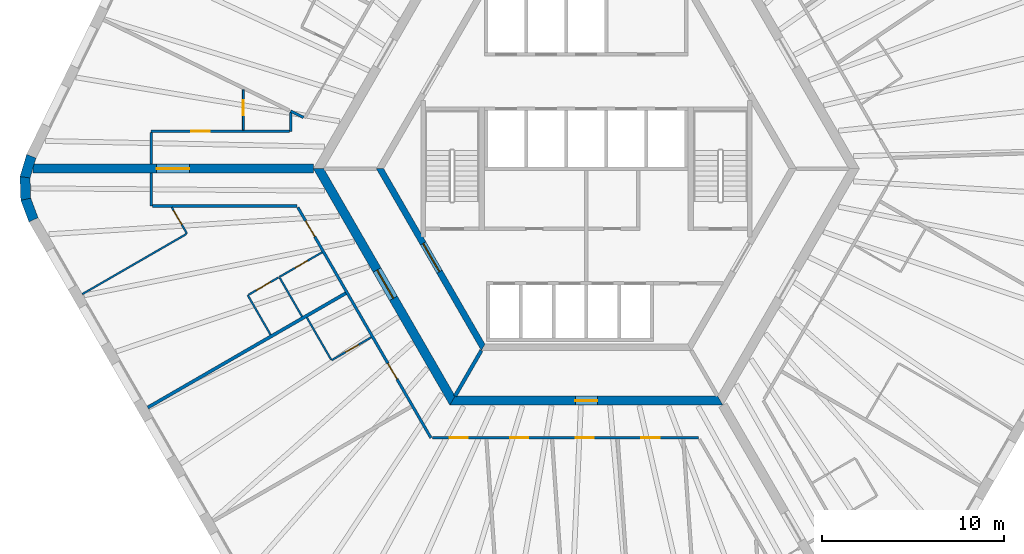
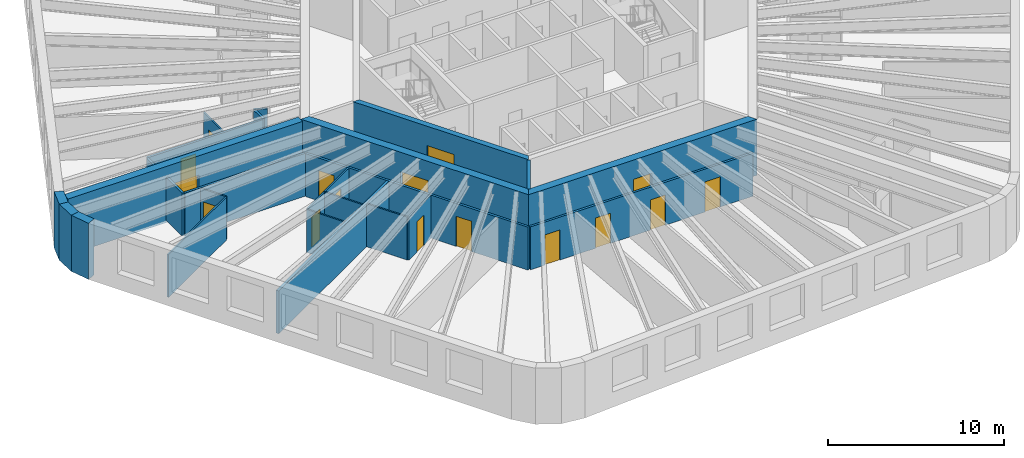
# One storey, part 3 of 10: 26 walls, 16 doors, 16 openings.
"""IFC4 building model written with IfcOpenShell, lengths in metres."""

from ifc_helpers import new_model, si_unit, direction, frame, frame_2d, origin, place, context, subcontext, project, spatial, polyline, rectangle, outline, extrude, material, layer, layer_set, type_object, element, fill, save


model = new_model("IFC4")

# Units and contexts
model_context = context("Model", 3, precision=1e-05, world=origin(), true_north=direction((0.0, 1.0)))
body_context = subcontext(model_context, "Body", "Model", "MODEL_VIEW")
ifc_project = project(units=[si_unit("LENGTHUNIT", "METRE"), si_unit("AREAUNIT", "SQUARE_METRE"), si_unit("VOLUMEUNIT", "CUBIC_METRE"), si_unit("PLANEANGLEUNIT", "RADIAN"), si_unit("MASSUNIT", "GRAM", prefix="KILO")], contexts=[model_context])

# Site, building, storey
site_placement = place(None, origin())
site = spatial("IfcSite", under=ifc_project, at=site_placement, CompositionType="ELEMENT")
building_placement = place(site_placement, origin())
building = spatial("IfcBuilding", under=site, at=building_placement, Name="Tarnside Tower", CompositionType="ELEMENT")
storey_placement = place(building_placement, frame((0.0, 0.0, 230.699951171875)))
storey = spatial("IfcBuildingStorey", under=building, at=storey_placement, Name="L55", CompositionType="ELEMENT", Elevation=230.699951171875)

# Wall, opening, door
ifc_material_1 = material(Name="Gypsum board partition on steel studs", Category="steel")
ifc_layer_1 = layer(ifc_material_1, 0.10009765625)
ifc_layer_set_1 = layer_set([ifc_layer_1], Name="Bathroom wall 100")
wall_type_1 = type_object("IfcWallType", Name="Bathroom wall 100", PredefinedType="PARTITIONING", material=ifc_layer_set_1)
wall_1_placement = place(storey_placement, frame((-18.85595703125, 2.125, 0.0), z_axis=(0.0, 0.0, 1.0), x_axis=(0.0, 1.0, 0.0)))
wall_1 = element("IfcWall", 1, at=wall_1_placement, inside=storey, type_object=wall_type_1, Name="Bathroom wall 18068", PredefinedType="PARTITIONING", context=body_context, shape_type="SweptSolid", body=[
    extrude(rectangle(XDim=2.207275390625, YDim=0.10009765625, at=frame_2d((1.103515625, 0.0))), origin(), (0.0, 0.0, 1.0), 2.98779296875),
])
opening_1_placement = place(wall_1_placement, frame((0.824951171875, 0.0, 0.0)))
opening_1 = element("IfcOpeningElement", 2, at=opening_1_placement, cuts=wall_1, Name="Opening D-B1", PredefinedType="OPENING", context=body_context, shape_type="SweptSolid", body=[
    extrude(rectangle(XDim=0.800048828125, YDim=2.10009765625, at=frame_2d((0.39990234375, 1.050048828125))), frame((0.0, 0.06005859375, 0.0), z_axis=(0.0, -1.0, 0.0), x_axis=(1.0, 0.0, 0.0)), (0.0, 0.0, 1.0), 0.1201171875),
])
ifc_material_2 = material(Name="Timber door leaf", Category="wood")
door_type_1 = type_object("IfcDoorType", Name="Bathroom door 800", OperationType="NOTDEFINED", PredefinedType="DOOR", material=ifc_material_2)
door_1_placement = place(opening_1_placement, origin())
door_1 = element("IfcDoor", 3, at=door_1_placement, inside=storey, type_object=door_type_1, Name="Bathroom door 18011", OperationType="SINGLE_SWING_LEFT", OverallHeight=2.10009765625, OverallWidth=0.800048828125, PredefinedType="DOOR", context=body_context, shape_type="SweptSolid", body=[
    extrude(rectangle(XDim=0.800048828125, YDim=2.10009765625, at=frame_2d((0.39990234375, 1.050048828125))), frame((0.0, 0.02490234375, 0.0), z_axis=(0.0, -1.0, 0.0), x_axis=(1.0, 0.0, 0.0)), (0.0, 0.0, 1.0), 0.050048828125),
])
fill(opening_1, door_1)

wall_2_placement = place(storey_placement, frame((-16.883056640625, -5.95751953125, 0.0), z_axis=(0.0, 0.0, 1.0), x_axis=(0.866012511928, 0.500022328685, 0.0)))
wall_2 = element("IfcWall", 4, at=wall_2_placement, inside=storey, type_object=wall_type_1, Name="Bathroom wall 18069", PredefinedType="PARTITIONING", context=body_context, shape_type="SweptSolid", body=[
    extrude(rectangle(XDim=2.72509765625, YDim=0.10009765625, at=frame_2d((1.362548828125, 0.0))), origin(), (0.0, 0.0, 1.0), 2.98779296875),
])
opening_2_placement = place(wall_2_placement, frame((1.0, 0.0, 0.0)))
opening_2 = element("IfcOpeningElement", 5, at=opening_2_placement, cuts=wall_2, Name="Opening D-B1", PredefinedType="OPENING", context=body_context, shape_type="SweptSolid", body=[
    extrude(rectangle(XDim=0.800048828125, YDim=2.10009765625, at=frame_2d((0.39990234375, 1.050048828125))), frame((0.0, 0.06005859375, 0.0), z_axis=(0.0, -1.0, 0.0), x_axis=(1.0, 0.0, 0.0)), (0.0, 0.0, 1.0), 0.1201171875),
])
door_2_placement = place(opening_2_placement, origin())
door_2 = element("IfcDoor", 6, at=door_2_placement, inside=storey, type_object=door_type_1, Name="Bathroom door 18013", OperationType="SINGLE_SWING_LEFT", OverallHeight=2.10009765625, OverallWidth=0.800048828125, PredefinedType="DOOR", context=body_context, shape_type="SweptSolid", body=[
    extrude(rectangle(XDim=0.800048828125, YDim=2.10009765625, at=frame_2d((0.39990234375, 1.050048828125))), frame((0.0, 0.02490234375, 0.0), z_axis=(0.0, -1.0, 0.0), x_axis=(1.0, 0.0, 0.0)), (0.0, 0.0, 1.0), 0.050048828125),
])
fill(opening_2, door_2)

# Wall
wall_3_placement = place(storey_placement, frame((-16.858154296875, -6.0009765625, 0.0), z_axis=(0.0, 0.0, 1.0), x_axis=(0.500003092839, -0.866023618125, 0.0)))
element("IfcWall", 7, at=wall_3_placement, inside=storey, type_object=wall_type_1, Name="Bathroom wall 18075", PredefinedType="PARTITIONING", context=body_context, shape_type="SweptSolid", body=[
    extrude(rectangle(XDim=2.4599609375, YDim=0.10009765625, at=frame_2d((1.22998046875, 0.0))), origin(), (0.0, 0.0, 1.0), 2.98779296875),
])

# Wall, opening, door
wall_4_placement = place(storey_placement, frame((-11.8232421875, -9.271728515625, 0.0), z_axis=(0.0, 0.0, 1.0), x_axis=(-0.866039067339, -0.499976333282, 0.0)))
wall_4 = element("IfcWall", 8, at=wall_4_placement, inside=storey, type_object=wall_type_1, Name="Bathroom wall 18079", PredefinedType="PARTITIONING", context=body_context, shape_type="SweptSolid", body=[
    extrude(rectangle(XDim=2.52490234375, YDim=0.10009765625, at=frame_2d((1.262451171875, 0.0))), origin(), (0.0, 0.0, 1.0), 2.98779296875),
])
opening_3_placement = place(wall_4_placement, frame((0.824951171875, 0.0, 0.0)))
opening_3 = element("IfcOpeningElement", 9, at=opening_3_placement, cuts=wall_4, Name="Opening D-B1", PredefinedType="OPENING", context=body_context, shape_type="SweptSolid", body=[
    extrude(rectangle(XDim=0.800048828125, YDim=2.10009765625, at=frame_2d((0.39990234375, 1.050048828125))), frame((0.0, 0.06005859375, 0.0), z_axis=(0.0, -1.0, 0.0), x_axis=(1.0, 0.0, 0.0)), (0.0, 0.0, 1.0), 0.1201171875),
])
door_3_placement = place(opening_3_placement, origin())
door_3 = element("IfcDoor", 10, at=door_3_placement, inside=storey, type_object=door_type_1, Name="Bathroom door 18017", OperationType="SINGLE_SWING_RIGHT", OverallHeight=2.10009765625, OverallWidth=0.800048828125, PredefinedType="DOOR", context=body_context, shape_type="SweptSolid", body=[
    extrude(rectangle(XDim=0.800048828125, YDim=2.10009765625, at=frame_2d((0.39990234375, 1.050048828125))), frame((0.0, 0.02490234375, 0.0), z_axis=(0.0, -1.0, 0.0), x_axis=(1.0, 0.0, 0.0)), (0.0, 0.0, 1.0), 0.050048828125),
])
fill(opening_3, door_3)

# Wall
wall_5_placement = place(storey_placement, frame((-14.034912109375, -10.49072265625, 0.0), z_axis=(0.0, 0.0, 1.0), x_axis=(-0.50004820116, 0.865997573043, 0.0)))
element("IfcWall", 11, at=wall_5_placement, inside=storey, type_object=wall_type_1, Name="Bathroom wall 18080", PredefinedType="PARTITIONING", context=body_context, shape_type="SweptSolid", body=[
    extrude(rectangle(XDim=2.659912109375, YDim=0.10009765625, at=frame_2d((1.330078125, 0.0))), origin(), (0.0, 0.0, 1.0), 2.98779296875),
])

# Wall, opening, door
ifc_material_3 = material(Name="Concrete C50/60", Category="concrete")
ifc_layer_2 = layer(ifc_material_3, 0.35009765625)
ifc_layer_set_2 = layer_set([ifc_layer_2], Name="Core block wall 350 C50/60")
wall_type_2 = type_object("IfcWallType", Name="Core block wall 350 C50/60", PredefinedType="SHEAR", material=ifc_layer_set_2)
wall_6_placement = place(storey_placement, frame((-11.344970703125, 0.0, -0.14990234375), z_axis=(0.0, 0.0, 1.0), x_axis=(0.499995046907, -0.866028263435, 0.0)))
wall_6 = element("IfcWall", 12, at=wall_6_placement, inside=storey, type_object=wall_type_2, Name="L55 core block wall face 3", PredefinedType="SHEAR", context=body_context, shape_type="SweptSolid", body=[
    extrude(outline(polyline([(-0.10107421875, -0.175048828125), (11.44580078125, -0.175048828125), (11.24365234375, 0.175048828125), (0.10107421875, 0.175048828125), (-0.10107421875, -0.175048828125)])), origin(), (0.0, 0.0, 1.0), 3.89990234375),
])
opening_4_placement = place(wall_6_placement, frame((4.74365234375, 0.0, 0.14990234375)))
opening_4 = element("IfcOpeningElement", 13, at=opening_4_placement, cuts=wall_6, Name="Opening CD-FFL", PredefinedType="OPENING", context=body_context, shape_type="SweptSolid", body=[
    extrude(rectangle(XDim=1.800048828125, YDim=2.39990234375, at=frame_2d((0.89990234375, 1.199951171875))), frame((0.0, 0.18505859375, 0.0), z_axis=(0.0, -1.0, 0.0), x_axis=(1.0, 0.0, 0.0)), (0.0, 0.0, 1.0), 0.3701171875),
])
ifc_material_4 = material(Name="Steel fire door", Category="steel")
door_type_2 = type_object("IfcDoorType", Name="Firefighting lobby double door FD60S 1800x2400", OperationType="NOTDEFINED", PredefinedType="DOOR", material=ifc_material_4)
door_4_placement = place(opening_4_placement, origin())
door_4 = element("IfcDoor", 14, at=door_4_placement, inside=storey, type_object=door_type_2, Name="L55 lobby block door P3", OperationType="DOUBLE_DOOR_SINGLE_SWING", OverallHeight=2.39990234375, OverallWidth=1.800048828125, PredefinedType="DOOR", context=body_context, shape_type="SweptSolid", body=[
    extrude(rectangle(XDim=1.800048828125, YDim=2.39990234375, at=frame_2d((0.89990234375, 1.199951171875))), frame((0.0, 0.02490234375, 0.0), z_axis=(0.0, -1.0, 0.0), x_axis=(1.0, 0.0, 0.0)), (0.0, 0.0, 1.0), 0.050048828125),
])
fill(opening_4, door_4)

ifc_material_5 = material(Name="Concrete C70/85", Category="concrete")
ifc_layer_3 = layer(ifc_material_5, 0.5)
ifc_layer_set_3 = layer_set([ifc_layer_3], Name="Core wall Z2 500 C70/85")
wall_type_3 = type_object("IfcWallType", Name="Core wall Z2 500 C70/85", PredefinedType="SHEAR", material=ifc_layer_set_3)
wall_7_placement = place(storey_placement, frame((-14.722412109375, 0.0, -0.14990234375), z_axis=(0.0, 0.0, 1.0), x_axis=(0.50000571537, -0.866022103989, 0.0)))
wall_7 = element("IfcWall", 15, at=wall_7_placement, inside=storey, type_object=wall_type_3, Name="L55 core wall face 3", PredefinedType="SHEAR", context=body_context, shape_type="SweptSolid", body=[
    extrude(outline(polyline([(-0.144287109375, -0.25), (14.86669921875, -0.25), (14.578125, 0.25), (0.144287109375, 0.25), (-0.144287109375, -0.25)])), origin(), (0.0, 0.0, 1.0), 3.89990234375),
])
opening_5_placement = place(wall_7_placement, frame((6.432373046875, 0.0, 0.14990234375)))
opening_5 = element("IfcOpeningElement", 16, at=opening_5_placement, cuts=wall_7, Name="Opening CD-FFL", PredefinedType="OPENING", context=body_context, shape_type="SweptSolid", body=[
    extrude(rectangle(XDim=1.800048828125, YDim=2.39990234375, at=frame_2d((0.89990234375, 1.199951171875))), frame((0.0, 0.260009765625, 0.0), z_axis=(0.0, -1.0, 0.0), x_axis=(1.0, 0.0, 0.0)), (0.0, 0.0, 1.0), 0.52001953125),
])
door_5_placement = place(opening_5_placement, origin())
door_5 = element("IfcDoor", 17, at=door_5_placement, inside=storey, type_object=door_type_2, Name="L55 core door P3", OperationType="DOUBLE_DOOR_SINGLE_SWING", OverallHeight=2.39990234375, OverallWidth=1.800048828125, PredefinedType="DOOR", context=body_context, shape_type="SweptSolid", body=[
    extrude(rectangle(XDim=1.800048828125, YDim=2.39990234375, at=frame_2d((0.89990234375, 1.199951171875))), frame((0.0, 0.02490234375, 0.0), z_axis=(0.0, -1.0, 0.0), x_axis=(1.0, 0.0, 0.0)), (0.0, 0.0, 1.0), 0.050048828125),
])
fill(opening_5, door_5)

wall_8_placement = place(storey_placement, frame((-7.361083984375, -12.75, -0.14990234375), z_axis=(0.0, 0.0, 1.0), x_axis=(1.0, 0.0, 0.0)))
wall_8 = element("IfcWall", 18, at=wall_8_placement, inside=storey, type_object=wall_type_3, Name="L55 core wall face 4", PredefinedType="SHEAR", context=body_context, shape_type="SweptSolid", body=[
    extrude(outline(polyline([(-0.144287109375, -0.25), (14.866455078125, -0.25), (14.577880859375, 0.25), (0.144287109375, 0.25), (-0.144287109375, -0.25)])), origin(), (0.0, 0.0, 1.0), 3.89990234375),
])
opening_6_placement = place(wall_8_placement, frame((6.76123046875, 0.0, 0.14990234375)))
opening_6 = element("IfcOpeningElement", 19, at=opening_6_placement, cuts=wall_8, Name="Opening CD-RSR", PredefinedType="OPENING", context=body_context, shape_type="SweptSolid", body=[
    extrude(rectangle(XDim=1.199951171875, YDim=2.39990234375, at=frame_2d((0.60009765625, 1.199951171875))), frame((0.0, 0.260009765625, 0.0), z_axis=(0.0, -1.0, 0.0), x_axis=(1.0, 0.0, 0.0)), (0.0, 0.0, 1.0), 0.52001953125),
])
door_type_3 = type_object("IfcDoorType", Name="Riser door FD60 1200x2400", OperationType="NOTDEFINED", PredefinedType="DOOR", material=ifc_material_4)
door_6_placement = place(opening_6_placement, origin())
door_6 = element("IfcDoor", 20, at=door_6_placement, inside=storey, type_object=door_type_3, Name="L55 core door S6", OperationType="SINGLE_SWING_LEFT", OverallHeight=2.39990234375, OverallWidth=1.199951171875, PredefinedType="DOOR", context=body_context, shape_type="SweptSolid", body=[
    extrude(rectangle(XDim=1.199951171875, YDim=2.39990234375, at=frame_2d((0.60009765625, 1.199951171875))), frame((0.0, 0.02490234375, 0.0), z_axis=(0.0, -1.0, 0.0), x_axis=(1.0, 0.0, 0.0)), (0.0, 0.0, 1.0), 0.050048828125),
])
fill(opening_6, door_6)

wall_9_placement = place(storey_placement, frame((-15.010986328125, 0.0, -0.14990234375), z_axis=(0.0, 0.0, 1.0), x_axis=(-1.0, 0.0, 0.0)))
wall_9 = element("IfcWall", 21, at=wall_9_placement, inside=storey, type_object=wall_type_3, Name="L55 spine wall 2", PredefinedType="SHEAR", context=body_context, shape_type="SweptSolid", body=[
    extrude(rectangle(XDim=15.423828125, YDim=0.5, at=frame_2d((7.7119140625, 0.0))), origin(), (0.0, 0.0, 1.0), 3.89990234375),
])
opening_7_placement = place(wall_9_placement, frame((6.811767578125, 0.0, 0.14990234375)))
opening_7 = element("IfcOpeningElement", 22, at=opening_7_placement, cuts=wall_9, Name="Opening CD-SPN", PredefinedType="OPENING", context=body_context, shape_type="SweptSolid", body=[
    extrude(rectangle(XDim=1.800048828125, YDim=2.39990234375, at=frame_2d((0.89990234375, 1.199951171875))), frame((0.0, 0.260009765625, 0.0), z_axis=(0.0, -1.0, 0.0), x_axis=(1.0, 0.0, 0.0)), (0.0, 0.0, 1.0), 0.52001953125),
])
door_type_4 = type_object("IfcDoorType", Name="Spine passage double door FD60 1800x2400", OperationType="NOTDEFINED", PredefinedType="DOOR", material=ifc_material_4)
door_7_placement = place(opening_7_placement, origin())
door_7 = element("IfcDoor", 23, at=door_7_placement, inside=storey, type_object=door_type_4, Name="L55 spine passage door 2", OperationType="DOUBLE_DOOR_SINGLE_SWING", OverallHeight=2.39990234375, OverallWidth=1.800048828125, PredefinedType="DOOR", context=body_context, shape_type="SweptSolid", body=[
    extrude(rectangle(XDim=1.800048828125, YDim=2.39990234375, at=frame_2d((0.89990234375, 1.199951171875))), frame((0.0, 0.02490234375, 0.0), z_axis=(0.0, -1.0, 0.0), x_axis=(1.0, 0.0, 0.0)), (0.0, 0.0, 1.0), 0.050048828125),
])
fill(opening_7, door_7)

# Wall
ifc_layer_4 = layer(ifc_material_1, 0.14990234375)
ifc_layer_set_4 = layer_set([ifc_layer_4], Name="Corridor wall 150 EI 60")
wall_type_4 = type_object("IfcWallType", Name="Corridor wall 150 EI 60", PredefinedType="PARTITIONING", material=ifc_layer_set_4)
wall_10_placement = place(storey_placement, frame((-15.54833984375, 2.8193359375, 0.0), z_axis=(0.0, 0.0, 1.0), x_axis=(-0.898827767233, 0.438302001879, 0.0)))
element("IfcWall", 24, at=wall_10_placement, inside=storey, type_object=wall_type_4, Name="Corridor wall 18012", PredefinedType="PARTITIONING", context=body_context, shape_type="SweptSolid", body=[
    extrude(rectangle(XDim=0.791015625, YDim=0.14990234375, at=frame_2d((0.3955078125, 0.0))), origin(), (0.0, 0.0, 1.0), 2.98779296875),
])

# Wall, opening, door
wall_11_placement = place(storey_placement, frame((-16.3310546875, 2.050048828125, 0.0), z_axis=(0.0, 0.0, 1.0), x_axis=(-1.0, 0.0, 0.0)))
wall_11 = element("IfcWall", 25, at=wall_11_placement, inside=storey, type_object=wall_type_4, Name="Corridor wall 18014", PredefinedType="PARTITIONING", context=body_context, shape_type="SweptSolid", body=[
    extrude(rectangle(XDim=7.591796875, YDim=0.14990234375, at=frame_2d((3.7958984375, 0.0))), origin(), (0.0, 0.0, 1.0), 2.98779296875),
])
opening_8_placement = place(wall_11_placement, frame((4.383544921875, 0.0, 0.0)))
opening_8 = element("IfcOpeningElement", 26, at=opening_8_placement, cuts=wall_11, Name="Opening D-E1", PredefinedType="OPENING", context=body_context, shape_type="SweptSolid", body=[
    extrude(rectangle(XDim=1.0, YDim=2.10009765625, at=frame_2d((0.5, 1.050048828125))), frame((0.0, 0.0849609375, 0.0), z_axis=(0.0, -1.0, 0.0), x_axis=(1.0, 0.0, 0.0)), (0.0, 0.0, 1.0), 0.169921875),
])
door_type_5 = type_object("IfcDoorType", Name="Unit entrance door 1000 FD30S", OperationType="NOTDEFINED", PredefinedType="DOOR", material=ifc_material_2)
door_8_placement = place(opening_8_placement, origin())
door_8 = element("IfcDoor", 27, at=door_8_placement, inside=storey, type_object=door_type_5, Name="Unit door 18010", OperationType="SINGLE_SWING_RIGHT", OverallHeight=2.10009765625, OverallWidth=1.0, PredefinedType="DOOR", context=body_context, shape_type="SweptSolid", body=[
    extrude(rectangle(XDim=1.0, YDim=2.10009765625, at=frame_2d((0.5, 1.050048828125))), frame((0.0, 0.02490234375, 0.0), z_axis=(0.0, -1.0, 0.0), x_axis=(1.0, 0.0, 0.0)), (0.0, 0.0, 1.0), 0.050048828125),
])
fill(opening_8, door_8)

# Walls
wall_12_placement = place(storey_placement, frame((-23.9228515625, 1.97509765625, 0.0), z_axis=(0.0, 0.0, 1.0), x_axis=(0.0, -1.0, 0.0)))
element("IfcWall", 28, at=wall_12_placement, inside=storey, type_object=wall_type_4, Name="Corridor wall 18015", PredefinedType="PARTITIONING", context=body_context, shape_type="SweptSolid", body=[
    extrude(rectangle(XDim=1.72509765625, YDim=0.14990234375, at=frame_2d((0.862548828125, 0.0))), origin(), (0.0, 0.0, 1.0), 2.98779296875),
])
wall_13_placement = place(storey_placement, frame((-16.256103515625, 3.0810546875, 0.0), z_axis=(0.0, 0.0, 1.0), x_axis=(0.0, -1.0, 0.0)))
element("IfcWall", 29, at=wall_13_placement, inside=storey, type_object=wall_type_4, Name="Corridor wall 18016", PredefinedType="PARTITIONING", context=body_context, shape_type="SweptSolid", body=[
    extrude(rectangle(XDim=1.031005859375, YDim=0.14990234375, at=frame_2d((0.515625, 0.0))), origin(), (0.0, 0.0, 1.0), 2.98779296875),
])
wall_14_placement = place(storey_placement, frame((-23.847900390625, -2.050048828125, 0.0), z_axis=(0.0, 0.0, 1.0), x_axis=(1.0, 0.0, 0.0)))
element("IfcWall", 30, at=wall_14_placement, inside=storey, type_object=wall_type_4, Name="Corridor wall 18018", PredefinedType="PARTITIONING", context=body_context, shape_type="SweptSolid", body=[
    extrude(rectangle(XDim=7.94189453125, YDim=0.14990234375, at=frame_2d((3.970947265625, 0.0))), origin(), (0.0, 0.0, 1.0), 2.98779296875),
])

# Wall, openings, doors
wall_15_placement = place(storey_placement, frame((-15.86279296875, -2.125, 0.0), z_axis=(0.0, 0.0, 1.0), x_axis=(0.500008833422, -0.866020303746, 0.0)))
wall_15 = element("IfcWall", 31, at=wall_15_placement, inside=storey, type_object=wall_type_4, Name="Corridor wall 18019", PredefinedType="PARTITIONING", context=body_context, shape_type="SweptSolid", body=[
    extrude(rectangle(XDim=14.635986328125, YDim=0.14990234375, at=frame_2d((7.31787109375, 0.0))), origin(), (0.0, 0.0, 1.0), 2.98779296875),
])
opening_9_placement = place(wall_15_placement, frame((0.861083984375, 0.0, 0.0)))
opening_9 = element("IfcOpeningElement", 32, at=opening_9_placement, cuts=wall_15, Name="Opening D-E1", PredefinedType="OPENING", context=body_context, shape_type="SweptSolid", body=[
    extrude(rectangle(XDim=1.0, YDim=2.10009765625, at=frame_2d((0.5, 1.050048828125))), frame((0.0, 0.0849609375, 0.0), z_axis=(0.0, -1.0, 0.0), x_axis=(1.0, 0.0, 0.0)), (0.0, 0.0, 1.0), 0.169921875),
])
opening_10_placement = place(wall_15_placement, frame((9.908935546875, 0.0, 0.0)))
opening_10 = element("IfcOpeningElement", 33, at=opening_10_placement, cuts=wall_15, Name="Opening D-E1", PredefinedType="OPENING", context=body_context, shape_type="SweptSolid", body=[
    extrude(rectangle(XDim=1.0, YDim=2.10009765625, at=frame_2d((0.5, 1.050048828125))), frame((0.0, 0.0849609375, 0.0), z_axis=(0.0, -1.0, 0.0), x_axis=(1.0, 0.0, 0.0)), (0.0, 0.0, 1.0), 0.169921875),
])
door_9_placement = place(opening_9_placement, origin())
door_9 = element("IfcDoor", 34, at=door_9_placement, inside=storey, type_object=door_type_5, Name="Unit door 18012", OperationType="SINGLE_SWING_RIGHT", OverallHeight=2.10009765625, OverallWidth=1.0, PredefinedType="DOOR", context=body_context, shape_type="SweptSolid", body=[
    extrude(rectangle(XDim=1.0, YDim=2.10009765625, at=frame_2d((0.5, 1.050048828125))), frame((0.0, 0.02490234375, 0.0), z_axis=(0.0, -1.0, 0.0), x_axis=(1.0, 0.0, 0.0)), (0.0, 0.0, 1.0), 0.050048828125),
])
fill(opening_9, door_9)
door_10_placement = place(opening_10_placement, origin())
door_10 = element("IfcDoor", 35, at=door_10_placement, inside=storey, type_object=door_type_5, Name="Unit door 18016", OperationType="SINGLE_SWING_RIGHT", OverallHeight=2.10009765625, OverallWidth=1.0, PredefinedType="DOOR", context=body_context, shape_type="SweptSolid", body=[
    extrude(rectangle(XDim=1.0, YDim=2.10009765625, at=frame_2d((0.5, 1.050048828125))), frame((0.0, 0.02490234375, 0.0), z_axis=(0.0, -1.0, 0.0), x_axis=(1.0, 0.0, 0.0)), (0.0, 0.0, 1.0), 0.050048828125),
])
fill(opening_10, door_10)

# Wall
wall_16_placement = place(storey_placement, frame((-23.9228515625, -0.25, 0.0), z_axis=(0.0, 0.0, 1.0), x_axis=(0.0, -1.0, 0.0)))
element("IfcWall", 36, at=wall_16_placement, inside=storey, type_object=wall_type_4, Name="Corridor wall 18021", PredefinedType="PARTITIONING", context=body_context, shape_type="SweptSolid", body=[
    extrude(rectangle(XDim=1.800048828125, YDim=0.14990234375, at=frame_2d((0.89990234375, 0.0))), origin(), (0.0, 0.0, 1.0), 2.98779296875),
])

# Wall, openings, doors
wall_17_placement = place(storey_placement, frame((-8.458251953125, -14.800048828125, 0.0), z_axis=(0.0, 0.0, 1.0), x_axis=(1.0, 0.0, 0.0)))
wall_17 = element("IfcWall", 37, at=wall_17_placement, inside=storey, type_object=wall_type_4, Name="Corridor wall 18026", PredefinedType="PARTITIONING", context=body_context, shape_type="SweptSolid", body=[
    extrude(rectangle(XDim=14.635986328125, YDim=0.14990234375, at=frame_2d((7.31787109375, 0.0))), origin(), (0.0, 0.0, 1.0), 2.98779296875),
])
opening_11_placement = place(wall_17_placement, frame((0.936279296875, 0.0, 0.0)))
opening_11 = element("IfcOpeningElement", 38, at=opening_11_placement, cuts=wall_17, Name="Opening D-E1", PredefinedType="OPENING", context=body_context, shape_type="SweptSolid", body=[
    extrude(rectangle(XDim=1.0, YDim=2.10009765625, at=frame_2d((0.5, 1.050048828125))), frame((0.0, 0.0849609375, 0.0), z_axis=(0.0, -1.0, 0.0), x_axis=(1.0, 0.0, 0.0)), (0.0, 0.0, 1.0), 0.169921875),
])
opening_12_placement = place(wall_17_placement, frame((4.263671875, 0.0, 0.0)))
opening_12 = element("IfcOpeningElement", 39, at=opening_12_placement, cuts=wall_17, Name="Opening D-E1", PredefinedType="OPENING", context=body_context, shape_type="SweptSolid", body=[
    extrude(rectangle(XDim=1.0, YDim=2.10009765625, at=frame_2d((0.5, 1.050048828125))), frame((0.0, 0.0849609375, 0.0), z_axis=(0.0, -1.0, 0.0), x_axis=(1.0, 0.0, 0.0)), (0.0, 0.0, 1.0), 0.169921875),
])
opening_13_placement = place(wall_17_placement, frame((7.872314453125, 0.0, 0.0)))
opening_13 = element("IfcOpeningElement", 40, at=opening_13_placement, cuts=wall_17, Name="Opening D-E1", PredefinedType="OPENING", context=body_context, shape_type="SweptSolid", body=[
    extrude(rectangle(XDim=1.0, YDim=2.10009765625, at=frame_2d((0.5, 1.050048828125))), frame((0.0, 0.0849609375, 0.0), z_axis=(0.0, -1.0, 0.0), x_axis=(1.0, 0.0, 0.0)), (0.0, 0.0, 1.0), 0.169921875),
])
opening_14_placement = place(wall_17_placement, frame((11.481201171875, 0.0, 0.0)))
opening_14 = element("IfcOpeningElement", 41, at=opening_14_placement, cuts=wall_17, Name="Opening D-E1", PredefinedType="OPENING", context=body_context, shape_type="SweptSolid", body=[
    extrude(rectangle(XDim=1.0, YDim=2.10009765625, at=frame_2d((0.5, 1.050048828125))), frame((0.0, 0.0849609375, 0.0), z_axis=(0.0, -1.0, 0.0), x_axis=(1.0, 0.0, 0.0)), (0.0, 0.0, 1.0), 0.169921875),
])
door_11_placement = place(opening_11_placement, origin())
door_11 = element("IfcDoor", 42, at=door_11_placement, inside=storey, type_object=door_type_5, Name="Unit door 18018", OperationType="SINGLE_SWING_RIGHT", OverallHeight=2.10009765625, OverallWidth=1.0, PredefinedType="DOOR", context=body_context, shape_type="SweptSolid", body=[
    extrude(rectangle(XDim=1.0, YDim=2.10009765625, at=frame_2d((0.5, 1.050048828125))), frame((0.0, 0.02490234375, 0.0), z_axis=(0.0, -1.0, 0.0), x_axis=(1.0, 0.0, 0.0)), (0.0, 0.0, 1.0), 0.050048828125),
])
fill(opening_11, door_11)
door_12_placement = place(opening_12_placement, origin())
door_12 = element("IfcDoor", 43, at=door_12_placement, inside=storey, type_object=door_type_5, Name="Unit door 18019", OperationType="SINGLE_SWING_RIGHT", OverallHeight=2.10009765625, OverallWidth=1.0, PredefinedType="DOOR", context=body_context, shape_type="SweptSolid", body=[
    extrude(rectangle(XDim=1.0, YDim=2.10009765625, at=frame_2d((0.5, 1.050048828125))), frame((0.0, 0.02490234375, 0.0), z_axis=(0.0, -1.0, 0.0), x_axis=(1.0, 0.0, 0.0)), (0.0, 0.0, 1.0), 0.050048828125),
])
fill(opening_12, door_12)
door_13_placement = place(opening_13_placement, origin())
door_13 = element("IfcDoor", 44, at=door_13_placement, inside=storey, type_object=door_type_5, Name="Unit door 18020", OperationType="SINGLE_SWING_RIGHT", OverallHeight=2.10009765625, OverallWidth=1.0, PredefinedType="DOOR", context=body_context, shape_type="SweptSolid", body=[
    extrude(rectangle(XDim=1.0, YDim=2.10009765625, at=frame_2d((0.5, 1.050048828125))), frame((0.0, 0.02490234375, 0.0), z_axis=(0.0, -1.0, 0.0), x_axis=(1.0, 0.0, 0.0)), (0.0, 0.0, 1.0), 0.050048828125),
])
fill(opening_13, door_13)
door_14_placement = place(opening_14_placement, origin())
door_14 = element("IfcDoor", 45, at=door_14_placement, inside=storey, type_object=door_type_5, Name="Unit door 18021", OperationType="SINGLE_SWING_RIGHT", OverallHeight=2.10009765625, OverallWidth=1.0, PredefinedType="DOOR", context=body_context, shape_type="SweptSolid", body=[
    extrude(rectangle(XDim=1.0, YDim=2.10009765625, at=frame_2d((0.5, 1.050048828125))), frame((0.0, 0.02490234375, 0.0), z_axis=(0.0, -1.0, 0.0), x_axis=(1.0, 0.0, 0.0)), (0.0, 0.0, 1.0), 0.050048828125),
])
fill(opening_14, door_14)

# Walls
ifc_layer_5 = layer(ifc_material_1, 0.179931640625)
ifc_layer_set_5 = layer_set([ifc_layer_5], Name="Demising wall 180 EI 60")
wall_type_5 = type_object("IfcWallType", Name="Demising wall 180 EI 60", PredefinedType="PARTITIONING", material=ifc_layer_set_5)
wall_18_placement = place(storey_placement, frame((-24.113525390625, -13.13427734375, 0.0), z_axis=(0.0, 0.0, 1.0), x_axis=(0.866024255907, 0.500001988177, 0.0)))
element("IfcWall", 46, at=wall_18_placement, inside=storey, type_object=wall_type_5, Name="Demising wall 18074", PredefinedType="PARTITIONING", context=body_context, shape_type="SweptSolid", body=[
    extrude(rectangle(XDim=12.5751953125, YDim=0.179931640625, at=frame_2d((6.28759765625, 0.0))), origin(), (0.0, 0.0, 1.0), 2.98779296875),
])
ifc_material_6 = material(Name="Concrete C40/50", Category="concrete")
ifc_layer_6 = layer(ifc_material_6, 0.199951171875)
ifc_layer_set_6 = layer_set([ifc_layer_6], Name="Lift shaft wall 200 C40/50")
wall_type_6 = type_object("IfcWallType", Name="Lift shaft wall 200 C40/50", PredefinedType="SHEAR", material=ifc_layer_set_6)
wall_19_placement = place(storey_placement, frame((-5.7734375, -10.0, -0.14990234375), z_axis=(0.0, 0.0, 1.0), x_axis=(-0.499995765644, -0.866027848477, 0.0)))
element("IfcWall", 47, at=wall_19_placement, inside=storey, type_object=wall_type_6, Name="L55 core partition AR240", PredefinedType="SHEAR", context=body_context, shape_type="SweptSolid", body=[
    extrude(rectangle(XDim=2.88671875, YDim=0.199951171875, at=frame_2d((1.443359375, 0.0))), origin(), (0.0, 0.0, 1.0), 3.89990234375),
])
ifc_layer_7 = layer(ifc_material_1, 0.10009765625)
ifc_layer_set_7 = layer_set([ifc_layer_7], Name="Partition 100")
wall_type_7 = type_object("IfcWallType", Name="Partition 100", PredefinedType="PARTITIONING", material=ifc_layer_set_7)
wall_20_placement = place(storey_placement, frame((-17.360107421875, -9.13134765625, 0.0), z_axis=(0.0, 0.0, 1.0), x_axis=(-0.50001992892, 0.866013897511, 0.0)))
element("IfcWall", 48, at=wall_20_placement, inside=storey, type_object=wall_type_7, Name="Partition wall 18070", PredefinedType="PARTITIONING", context=body_context, shape_type="SweptSolid", body=[
    extrude(rectangle(XDim=2.51025390625, YDim=0.10009765625, at=frame_2d((1.255126953125, 0.0))), origin(), (0.0, 0.0, 1.0), 2.98779296875),
])

# Wall, opening, door
wall_21_placement = place(storey_placement, frame((-18.57177734375, -6.9326171875, 0.0), z_axis=(0.0, 0.0, 1.0), x_axis=(0.86601224135, 0.500022797313, 0.0)))
wall_21 = element("IfcWall", 49, at=wall_21_placement, inside=storey, type_object=wall_type_7, Name="Partition wall 18071", PredefinedType="PARTITIONING", context=body_context, shape_type="SweptSolid", body=[
    extrude(rectangle(XDim=1.89990234375, YDim=0.10009765625, at=frame_2d((0.949951171875, 0.0))), origin(), (0.0, 0.0, 1.0), 2.98779296875),
])
opening_15_placement = place(wall_21_placement, frame((0.5, 0.0, 0.0)))
opening_15 = element("IfcOpeningElement", 50, at=opening_15_placement, cuts=wall_21, Name="Opening D-I1", PredefinedType="OPENING", context=body_context, shape_type="SweptSolid", body=[
    extrude(rectangle(XDim=0.89990234375, YDim=2.10009765625, at=frame_2d((0.449951171875, 1.050048828125))), frame((0.0, 0.06005859375, 0.0), z_axis=(0.0, -1.0, 0.0), x_axis=(1.0, 0.0, 0.0)), (0.0, 0.0, 1.0), 0.1201171875),
])
door_type_6 = type_object("IfcDoorType", Name="Internal door 900", OperationType="NOTDEFINED", PredefinedType="DOOR", material=ifc_material_2)
door_15_placement = place(opening_15_placement, origin())
door_15 = element("IfcDoor", 51, at=door_15_placement, inside=storey, type_object=door_type_6, Name="Internal door 18014", OperationType="SINGLE_SWING_RIGHT", OverallHeight=2.10009765625, OverallWidth=0.89990234375, PredefinedType="DOOR", context=body_context, shape_type="SweptSolid", body=[
    extrude(rectangle(XDim=0.89990234375, YDim=2.10009765625, at=frame_2d((0.449951171875, 1.050048828125))), frame((0.0, 0.02490234375, 0.0), z_axis=(0.0, -1.0, 0.0), x_axis=(1.0, 0.0, 0.0)), (0.0, 0.0, 1.0), 0.050048828125),
])
fill(opening_15, door_15)

wall_22_placement = place(storey_placement, frame((-22.791015625, -2.125, 0.0), z_axis=(0.0, 0.0, 1.0), x_axis=(0.500046635412, -0.865998477143, 0.0)))
wall_22 = element("IfcWall", 52, at=wall_22_placement, inside=storey, type_object=wall_type_7, Name="Partition wall 18072", PredefinedType="PARTITIONING", context=body_context, shape_type="SweptSolid", body=[
    extrude(rectangle(XDim=1.673095703125, YDim=0.10009765625, at=frame_2d((0.83642578125, 0.0))), origin(), (0.0, 0.0, 1.0), 2.98779296875),
])
opening_16_placement = place(wall_22_placement, frame((0.199951171875, 0.0, 0.0)))
opening_16 = element("IfcOpeningElement", 53, at=opening_16_placement, cuts=wall_22, Name="Opening D-I1", PredefinedType="OPENING", context=body_context, shape_type="SweptSolid", body=[
    extrude(rectangle(XDim=0.89990234375, YDim=2.10009765625, at=frame_2d((0.449951171875, 1.050048828125))), frame((0.0, 0.06005859375, 0.0), z_axis=(0.0, -1.0, 0.0), x_axis=(1.0, 0.0, 0.0)), (0.0, 0.0, 1.0), 0.1201171875),
])
door_16_placement = place(opening_16_placement, origin())
door_16 = element("IfcDoor", 54, at=door_16_placement, inside=storey, type_object=door_type_6, Name="Internal door 18015", OperationType="SINGLE_SWING_RIGHT", OverallHeight=2.10009765625, OverallWidth=0.89990234375, PredefinedType="DOOR", context=body_context, shape_type="SweptSolid", body=[
    extrude(rectangle(XDim=0.89990234375, YDim=2.10009765625, at=frame_2d((0.449951171875, 1.050048828125))), frame((0.0, 0.02490234375, 0.0), z_axis=(0.0, -1.0, 0.0), x_axis=(1.0, 0.0, 0.0)), (0.0, 0.0, 1.0), 0.050048828125),
])
fill(opening_16, door_16)

# Walls
wall_23_placement = place(storey_placement, frame((-21.997802734375, -3.598876953125, 0.0), z_axis=(0.0, 0.0, 1.0), x_axis=(-0.866014946329, -0.500018112406, 0.0)))
element("IfcWall", 55, at=wall_23_placement, inside=storey, type_object=wall_type_7, Name="Partition wall 18073", PredefinedType="PARTITIONING", context=body_context, shape_type="SweptSolid", body=[
    extrude(rectangle(XDim=6.599853515625, YDim=0.10009765625, at=frame_2d((3.2998046875, 0.0))), origin(), (0.0, 0.0, 1.0), 2.98779296875),
])
ifc_material_7 = material(Name="Facing brick", Category="masonry")
ifc_layer_8 = layer(ifc_material_7, 0.10205078125)
ifc_material_8 = material(Name="Concrete C60/75 precast", Category="concrete")
ifc_layer_9 = layer(ifc_material_8, 0.347900390625)
ifc_material_9 = material(Name="Mineral wool insulation")
ifc_layer_10 = layer(ifc_material_9, 0.10009765625)
ifc_layer_set_8 = layer_set([ifc_layer_8, ifc_layer_9, ifc_layer_10], Name="Tube wall 550 brick faced")
wall_type_8 = type_object("IfcWallType", Name="Tube wall 550 brick faced", PredefinedType="SOLIDWALL", material=ifc_layer_set_8)
wall_24_placement = place(storey_placement, frame((-30.51318359375, 0.684326171875, -0.14990234375), z_axis=(0.0, 0.0, 1.0), x_axis=(-0.286736058109, -0.958009620505, 0.0)))
element("IfcWall", 56, at=wall_24_placement, inside=storey, type_object=wall_type_8, Name="Tube wall L55 F2 chord 05", PredefinedType="SOLIDWALL", context=body_context, shape_type="SweptSolid", body=[
    extrude(outline(polyline([(-0.0224609375, -0.27490234375), (1.25341796875, -0.27490234375), (1.1630859375, 0.27490234375), (0.0224609375, 0.27490234375), (-0.0224609375, -0.27490234375)])), origin(), (0.0, 0.0, 1.0), 3.89990234375),
])
wall_25_placement = place(storey_placement, frame((-30.859619140625, -0.47314453125, -0.14990234375), z_axis=(0.0, 0.0, 1.0), x_axis=(0.03495638276, -0.999388838893, 0.0)))
element("IfcWall", 57, at=wall_25_placement, inside=storey, type_object=wall_type_8, Name="Tube wall L55 F2 chord 06", PredefinedType="SOLIDWALL", context=body_context, shape_type="SweptSolid", body=[
    extrude(outline(polyline([(-0.045166015625, -0.27490234375), (1.25341796875, -0.27490234375), (1.1630859375, 0.27490234375), (0.045166015625, 0.27490234375), (-0.045166015625, -0.27490234375)])), origin(), (0.0, 0.0, 1.0), 3.89990234375),
])
wall_26_placement = place(storey_placement, frame((-30.8173828125, -1.6806640625, -0.14990234375), z_axis=(0.0, 0.0, 1.0), x_axis=(0.352850303963, -0.935679786569, 0.0)))
element("IfcWall", 58, at=wall_26_placement, inside=storey, type_object=wall_type_8, Name="Tube wall L55 F2 chord 07", PredefinedType="SOLIDWALL", context=body_context, shape_type="SweptSolid", body=[
    extrude(outline(polyline([(-0.045166015625, -0.27490234375), (1.23046875, -0.27490234375), (1.185546875, 0.27490234375), (0.045166015625, 0.27490234375), (-0.045166015625, -0.27490234375)])), origin(), (0.0, 0.0, 1.0), 3.89990234375),
])

save(model, "model.ifc")
